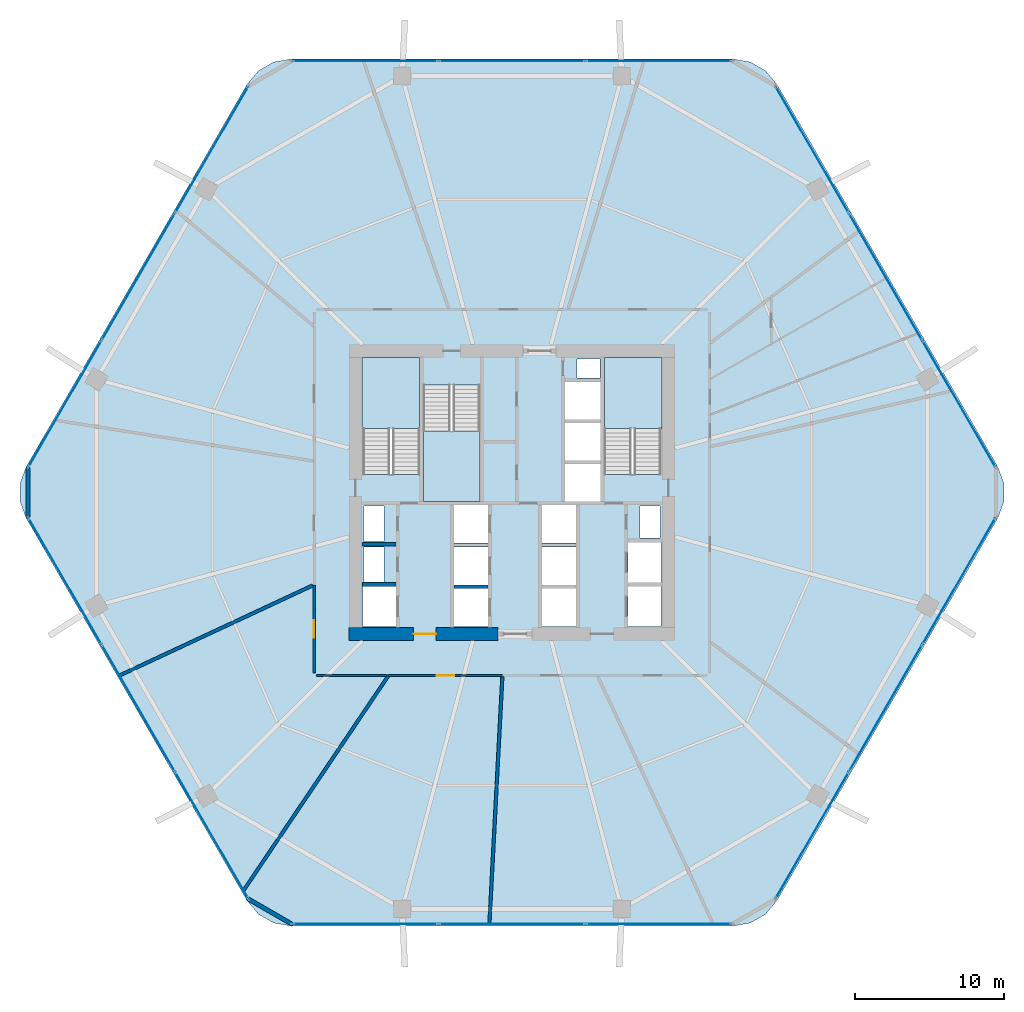
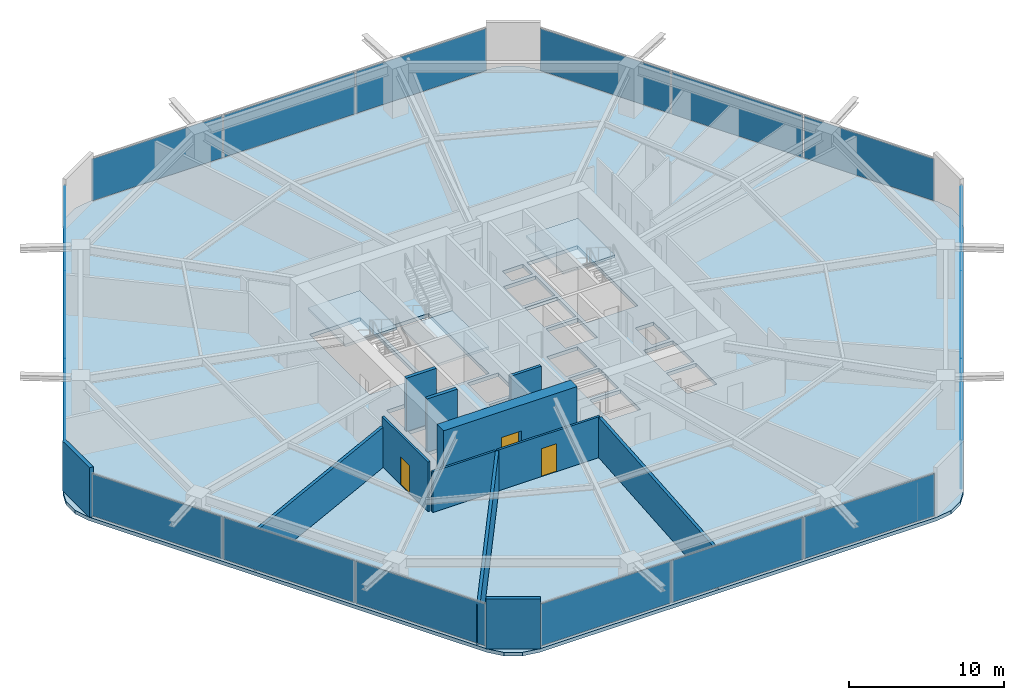
# One storey, part 21 of 25: 18 plates, 12 walls, 4 slabs, 3 doors, 3 openings, 9 elements without a shape of their own.
"""IFC4 building model written with IfcOpenShell, lengths in metres."""

from ifc_helpers import new_model, si_unit, direction, frame, frame_2d, origin, origin_2d, place, context, subcontext, project, spatial, polyline, rectangle, outline, extrude, material, layer, layer_set, type_object, element, fill, aggregate, save


model = new_model("IFC4")

# Units and contexts
model_context = context("Model", 3, precision=1e-05, world=origin(), true_north=direction((0.0, 1.0)))
body_context = subcontext(model_context, "Body", "Model", "MODEL_VIEW")
ifc_project = project(units=[si_unit("LENGTHUNIT", "METRE"), si_unit("AREAUNIT", "SQUARE_METRE"), si_unit("VOLUMEUNIT", "CUBIC_METRE"), si_unit("PLANEANGLEUNIT", "RADIAN"), si_unit("MASSUNIT", "GRAM", prefix="KILO")], contexts=[model_context])

# Site, building, storey
site_placement = place(None, origin())
site = spatial("IfcSite", under=ifc_project, at=site_placement, CompositionType="ELEMENT")
building_placement = place(site_placement, origin())
building = spatial("IfcBuilding", under=site, at=building_placement, Name="Zuhravey Tower", CompositionType="ELEMENT")
storey_placement = place(building_placement, frame((0.0, 0.0, 45.60009765625)))
storey = spatial("IfcBuildingStorey", under=building, at=storey_placement, Name="L11", CompositionType="ELEMENT", Elevation=45.60009765625)

# Curtain wall, plates
ifc_material_1 = material(Name="Thermally broken anodised aluminium", Category="aluminium")
curtain_wall_type = type_object("IfcCurtainWallType", Name="School Low-E Unitised Curtain Wall CW1", PredefinedType="NOTDEFINED", material=ifc_material_1)
curtain_wall_1_placement = place(storey_placement, origin())
curtain_wall_1 = element("IfcCurtainWall", 1, at=curtain_wall_1_placement, inside=storey, type_object=curtain_wall_type, Name="L11 CW1 CW-L11-F6-1", PredefinedType="NOTDEFINED")
ifc_material_2 = material(Name="Laminated acoustic low-E vision glass", Category="glass")
ifc_layer_1 = layer(ifc_material_2, 0.048095703125)
ifc_layer_set_1 = layer_set([ifc_layer_1], Name="Laminated acoustic low-E vision glass")
plate_type = type_object("IfcPlateType", Name="Acoustic School Vision Panel", PredefinedType="CURTAIN_PANEL", material=ifc_layer_set_1)
plate_1_placement = place(storey_placement, frame((66.000732421875, 26.045654296875, 0.08984375), z_axis=(0.0, 0.0, 1.0), x_axis=(-0.499999794119, -0.86602552265, 0.0)))
plate_1 = element("IfcPlate", 2, at=plate_1_placement, type_object=plate_type, Name="CW1 panel 1.1", PredefinedType="CURTAIN_PANEL", context=body_context, shape_type="SweptSolid", body=[
    extrude(rectangle(XDim=9.7314453125, YDim=0.048095703125, at=origin_2d()), origin(), (0.0, 0.0, 1.0), 3.31201171875),
])
plate_2_placement = place(storey_placement, frame((61.078857421875, 17.520751953125, 0.08984375), z_axis=(0.0, 0.0, 1.0), x_axis=(-0.499999794119, -0.86602552265, 0.0)))
plate_2 = element("IfcPlate", 3, at=plate_2_placement, type_object=plate_type, Name="CW1 panel 2.1", PredefinedType="CURTAIN_PANEL", context=body_context, shape_type="SweptSolid", body=[
    extrude(rectangle(XDim=9.7763671875, YDim=0.048095703125, at=origin_2d()), origin(), (0.0, 0.0, 1.0), 3.31201171875),
])
plate_3_placement = place(storey_placement, frame((56.15673828125, 8.995849609375, 0.08984375), z_axis=(0.0, 0.0, 1.0), x_axis=(-0.499999794119, -0.86602552265, 0.0)))
plate_3 = element("IfcPlate", 4, at=plate_3_placement, type_object=plate_type, Name="CW1 panel 3.1", PredefinedType="CURTAIN_PANEL", context=body_context, shape_type="SweptSolid", body=[
    extrude(rectangle(XDim=9.7314453125, YDim=0.048095703125, at=origin_2d()), origin(), (0.0, 0.0, 1.0), 3.31201171875),
])
aggregate(curtain_wall_1, [plate_1, plate_2, plate_3])

curtain_wall_2_placement = place(storey_placement, origin())
curtain_wall_2 = element("IfcCurtainWall", 5, at=curtain_wall_2_placement, inside=storey, type_object=curtain_wall_type, Name="L11 CW1 CW-L11-F5-1", PredefinedType="NOTDEFINED")
plate_4_placement = place(storey_placement, frame((45.84375, 3.04150390625, 0.08984375), z_axis=(0.0, 0.0, 1.0), x_axis=(-1.0, 0.0, 0.0)))
plate_4 = element("IfcPlate", 6, at=plate_4_placement, type_object=plate_type, Name="CW1 panel 1.1", PredefinedType="CURTAIN_PANEL", context=body_context, shape_type="SweptSolid", body=[
    extrude(rectangle(XDim=9.7314453125, YDim=0.048095703125, at=origin_2d()), origin(), (0.0, 0.0, 1.0), 3.31201171875),
])
plate_5_placement = place(storey_placement, frame((36.0, 3.04150390625, 0.08984375), z_axis=(0.0, 0.0, 1.0), x_axis=(-1.0, 0.0, 0.0)))
plate_5 = element("IfcPlate", 7, at=plate_5_placement, type_object=plate_type, Name="CW1 panel 2.1", PredefinedType="CURTAIN_PANEL", context=body_context, shape_type="SweptSolid", body=[
    extrude(rectangle(XDim=9.7763671875, YDim=0.048095703125, at=origin_2d()), origin(), (0.0, 0.0, 1.0), 3.31201171875),
])
plate_6_placement = place(storey_placement, frame((26.15625, 3.04150390625, 0.08984375), z_axis=(0.0, 0.0, 1.0), x_axis=(-1.0, 0.0, 0.0)))
plate_6 = element("IfcPlate", 8, at=plate_6_placement, type_object=plate_type, Name="CW1 panel 3.1", PredefinedType="CURTAIN_PANEL", context=body_context, shape_type="SweptSolid", body=[
    extrude(rectangle(XDim=9.7314453125, YDim=0.048095703125, at=origin_2d()), origin(), (0.0, 0.0, 1.0), 3.31201171875),
])
aggregate(curtain_wall_2, [plate_4, plate_5, plate_6])

curtain_wall_3_placement = place(storey_placement, origin())
curtain_wall_3 = element("IfcCurtainWall", 9, at=curtain_wall_3_placement, inside=storey, type_object=curtain_wall_type, Name="L11 CW1 CW-L11-F4-1", PredefinedType="NOTDEFINED")
plate_7_placement = place(storey_placement, frame((15.84326171875, 8.995849609375, 0.08984375), z_axis=(0.0, 0.0, 1.0), x_axis=(-0.499999794119, 0.86602552265, 0.0)))
plate_7 = element("IfcPlate", 10, at=plate_7_placement, type_object=plate_type, Name="CW1 panel 1.1", PredefinedType="CURTAIN_PANEL", context=body_context, shape_type="SweptSolid", body=[
    extrude(rectangle(XDim=9.7314453125, YDim=0.048095703125, at=origin_2d()), origin(), (0.0, 0.0, 1.0), 3.31201171875),
])
plate_8_placement = place(storey_placement, frame((10.921142578125, 17.520751953125, 0.08984375), z_axis=(0.0, 0.0, 1.0), x_axis=(-0.499999794119, 0.86602552265, 0.0)))
plate_8 = element("IfcPlate", 11, at=plate_8_placement, type_object=plate_type, Name="CW1 panel 2.1", PredefinedType="CURTAIN_PANEL", context=body_context, shape_type="SweptSolid", body=[
    extrude(rectangle(XDim=9.7763671875, YDim=0.048095703125, at=origin_2d()), origin(), (0.0, 0.0, 1.0), 3.31201171875),
])
plate_9_placement = place(storey_placement, frame((5.999267578125, 26.045654296875, 0.08984375), z_axis=(0.0, 0.0, 1.0), x_axis=(-0.499999794119, 0.86602552265, 0.0)))
plate_9 = element("IfcPlate", 12, at=plate_9_placement, type_object=plate_type, Name="CW1 panel 3.1", PredefinedType="CURTAIN_PANEL", context=body_context, shape_type="SweptSolid", body=[
    extrude(rectangle(XDim=9.7314453125, YDim=0.048095703125, at=origin_2d()), origin(), (0.0, 0.0, 1.0), 3.31201171875),
])
aggregate(curtain_wall_3, [plate_7, plate_8, plate_9])

curtain_wall_4_placement = place(storey_placement, origin())
curtain_wall_4 = element("IfcCurtainWall", 13, at=curtain_wall_4_placement, inside=storey, type_object=curtain_wall_type, Name="L11 CW1 CW-L11-F3-1", PredefinedType="NOTDEFINED")
plate_10_placement = place(storey_placement, frame((5.999267578125, 37.954345703125, 0.08984375), z_axis=(0.0, 0.0, 1.0), x_axis=(0.499999794119, 0.86602552265, 0.0)))
plate_10 = element("IfcPlate", 14, at=plate_10_placement, type_object=plate_type, Name="CW1 panel 1.1", PredefinedType="CURTAIN_PANEL", context=body_context, shape_type="SweptSolid", body=[
    extrude(rectangle(XDim=9.7314453125, YDim=0.048095703125, at=origin_2d()), origin(), (0.0, 0.0, 1.0), 3.31201171875),
])
plate_11_placement = place(storey_placement, frame((10.921142578125, 46.479248046875, 0.08984375), z_axis=(0.0, 0.0, 1.0), x_axis=(0.499999794119, 0.86602552265, 0.0)))
plate_11 = element("IfcPlate", 15, at=plate_11_placement, type_object=plate_type, Name="CW1 panel 2.1", PredefinedType="CURTAIN_PANEL", context=body_context, shape_type="SweptSolid", body=[
    extrude(rectangle(XDim=9.7763671875, YDim=0.048095703125, at=origin_2d()), origin(), (0.0, 0.0, 1.0), 3.31201171875),
])
plate_12_placement = place(storey_placement, frame((15.84326171875, 55.004150390625, 0.08984375), z_axis=(0.0, 0.0, 1.0), x_axis=(0.499999794119, 0.86602552265, 0.0)))
plate_12 = element("IfcPlate", 16, at=plate_12_placement, type_object=plate_type, Name="CW1 panel 3.1", PredefinedType="CURTAIN_PANEL", context=body_context, shape_type="SweptSolid", body=[
    extrude(rectangle(XDim=9.7314453125, YDim=0.048095703125, at=origin_2d()), origin(), (0.0, 0.0, 1.0), 3.31201171875),
])
aggregate(curtain_wall_4, [plate_10, plate_11, plate_12])

curtain_wall_5_placement = place(storey_placement, origin())
curtain_wall_5 = element("IfcCurtainWall", 17, at=curtain_wall_5_placement, inside=storey, type_object=curtain_wall_type, Name="L11 CW1 CW-L11-F2-1", PredefinedType="NOTDEFINED")
plate_13_placement = place(storey_placement, frame((26.15625, 60.95849609375, 0.08984375), z_axis=(0.0, 0.0, 1.0), x_axis=(1.0, 0.0, 0.0)))
plate_13 = element("IfcPlate", 18, at=plate_13_placement, type_object=plate_type, Name="CW1 panel 1.1", PredefinedType="CURTAIN_PANEL", context=body_context, shape_type="SweptSolid", body=[
    extrude(rectangle(XDim=9.7314453125, YDim=0.048095703125, at=origin_2d()), origin(), (0.0, 0.0, 1.0), 3.31201171875),
])
plate_14_placement = place(storey_placement, frame((36.0, 60.95849609375, 0.08984375), z_axis=(0.0, 0.0, 1.0), x_axis=(1.0, 0.0, 0.0)))
plate_14 = element("IfcPlate", 19, at=plate_14_placement, type_object=plate_type, Name="CW1 panel 2.1", PredefinedType="CURTAIN_PANEL", context=body_context, shape_type="SweptSolid", body=[
    extrude(rectangle(XDim=9.7763671875, YDim=0.048095703125, at=origin_2d()), origin(), (0.0, 0.0, 1.0), 3.31201171875),
])
plate_15_placement = place(storey_placement, frame((45.84375, 60.95849609375, 0.08984375), z_axis=(0.0, 0.0, 1.0), x_axis=(1.0, 0.0, 0.0)))
plate_15 = element("IfcPlate", 20, at=plate_15_placement, type_object=plate_type, Name="CW1 panel 3.1", PredefinedType="CURTAIN_PANEL", context=body_context, shape_type="SweptSolid", body=[
    extrude(rectangle(XDim=9.7314453125, YDim=0.048095703125, at=origin_2d()), origin(), (0.0, 0.0, 1.0), 3.31201171875),
])
aggregate(curtain_wall_5, [plate_13, plate_14, plate_15])

curtain_wall_6_placement = place(storey_placement, origin())
curtain_wall_6 = element("IfcCurtainWall", 21, at=curtain_wall_6_placement, inside=storey, type_object=curtain_wall_type, Name="L11 CW1 CW-L11-F1-1", PredefinedType="NOTDEFINED")
plate_16_placement = place(storey_placement, frame((56.15673828125, 55.004150390625, 0.08984375), z_axis=(0.0, 0.0, 1.0), x_axis=(0.499999794119, -0.86602552265, 0.0)))
plate_16 = element("IfcPlate", 22, at=plate_16_placement, type_object=plate_type, Name="CW1 panel 1.1", PredefinedType="CURTAIN_PANEL", context=body_context, shape_type="SweptSolid", body=[
    extrude(rectangle(XDim=9.7314453125, YDim=0.048095703125, at=origin_2d()), origin(), (0.0, 0.0, 1.0), 3.31201171875),
])
plate_17_placement = place(storey_placement, frame((61.078857421875, 46.479248046875, 0.08984375), z_axis=(0.0, 0.0, 1.0), x_axis=(0.499999794119, -0.86602552265, 0.0)))
plate_17 = element("IfcPlate", 23, at=plate_17_placement, type_object=plate_type, Name="CW1 panel 2.1", PredefinedType="CURTAIN_PANEL", context=body_context, shape_type="SweptSolid", body=[
    extrude(rectangle(XDim=9.7763671875, YDim=0.048095703125, at=origin_2d()), origin(), (0.0, 0.0, 1.0), 3.31201171875),
])
plate_18_placement = place(storey_placement, frame((66.000732421875, 37.954345703125, 0.08984375), z_axis=(0.0, 0.0, 1.0), x_axis=(0.499999794119, -0.86602552265, 0.0)))
plate_18 = element("IfcPlate", 24, at=plate_18_placement, type_object=plate_type, Name="CW1 panel 3.1", PredefinedType="CURTAIN_PANEL", context=body_context, shape_type="SweptSolid", body=[
    extrude(rectangle(XDim=9.7314453125, YDim=0.048095703125, at=origin_2d()), origin(), (0.0, 0.0, 1.0), 3.31201171875),
])
aggregate(curtain_wall_6, [plate_16, plate_17, plate_18])

# Slab
ifc_material_3 = material(Name="Concrete C50/60", Category="concrete")
ifc_layer_2 = layer(ifc_material_3, 0.280029296875)
ifc_layer_set_2 = layer_set([ifc_layer_2], Name="Concrete C50/60")
slab_type_1 = type_object("IfcSlabType", Name="School Composite Floor Slab 280", PredefinedType="FLOOR", material=ifc_layer_set_2)
slab_1_placement = place(storey_placement, frame((0.0, 0.0, -0.280029296875)))
element("IfcSlab", 25, at=slab_1_placement, inside=storey, type_object=slab_type_1, Name="L11 Floor Slab FS28", PredefinedType="FLOOR", context=body_context, shape_type="SweptSolid", body=[
    extrude(outline(polyline([(68.618408203125, 30.300048828125), (69.0224609375, 31.40966796875), (69.0224609375, 32.59033203125), (68.618408203125, 33.699951171875), (53.781494140625, 59.3984375), (53.0224609375, 60.302978515625), (52.0, 60.893310546875), (50.8369140625, 61.098388671875), (21.1630859375, 61.098388671875), (20.0, 60.893310546875), (18.9775390625, 60.302978515625), (18.218505859375, 59.3984375), (3.381591796875, 33.699951171875), (2.9775390625, 32.59033203125), (2.9775390625, 31.40966796875), (3.381591796875, 30.300048828125), (18.218505859375, 4.6015625), (18.9775390625, 3.697021484375), (20.0, 3.106689453125), (21.1630859375, 2.901611328125), (50.8369140625, 2.901611328125), (52.0, 3.106689453125), (53.0224609375, 3.697021484375), (53.781494140625, 4.6015625), (68.618408203125, 30.300048828125)]), holes=[polyline([(29.800048828125, 33.20068359375), (29.800048828125, 41.0), (26.0, 41.0), (26.0, 33.20068359375), (29.800048828125, 33.20068359375)]), polyline([(46.0, 33.20068359375), (46.0, 41.0), (42.199951171875, 41.0), (42.199951171875, 33.20068359375), (46.0, 33.20068359375)]), polyline([(30.050048828125, 39.199462890625), (30.050048828125, 31.39990234375), (33.85009765625, 31.39990234375), (33.85009765625, 39.199462890625), (30.050048828125, 39.199462890625)]), polyline([(32.10009765625, 23.0), (34.39990234375, 23.0), (34.39990234375, 25.550048828125), (32.10009765625, 25.550048828125), (32.10009765625, 23.0)]), polyline([(32.10009765625, 25.800048828125), (34.39990234375, 25.800048828125), (34.39990234375, 28.35009765625), (32.10009765625, 28.35009765625), (32.10009765625, 25.800048828125)]), polyline([(32.10009765625, 28.60009765625), (34.39990234375, 28.60009765625), (34.39990234375, 31.14990234375), (32.10009765625, 31.14990234375), (32.10009765625, 28.60009765625)]), polyline([(38.0, 23.0), (40.300048828125, 23.0), (40.300048828125, 25.550048828125), (38.0, 25.550048828125), (38.0, 23.0)]), polyline([(38.0, 25.800048828125), (40.300048828125, 25.800048828125), (40.300048828125, 28.35009765625), (38.0, 28.35009765625), (38.0, 25.800048828125)]), polyline([(38.0, 28.60009765625), (40.300048828125, 28.60009765625), (40.300048828125, 31.14990234375), (38.0, 31.14990234375), (38.0, 28.60009765625)]), polyline([(39.550048828125, 31.39990234375), (41.949951171875, 31.39990234375), (41.949951171875, 33.89990234375), (39.550048828125, 33.89990234375), (39.550048828125, 31.39990234375)]), polyline([(39.550048828125, 34.14990234375), (41.949951171875, 34.14990234375), (41.949951171875, 36.64990234375), (39.550048828125, 36.64990234375), (39.550048828125, 34.14990234375)]), polyline([(39.550048828125, 36.89990234375), (41.949951171875, 36.89990234375), (41.949951171875, 39.39990234375), (39.550048828125, 39.39990234375), (39.550048828125, 36.89990234375)]), polyline([(26.0, 23.0), (28.199951171875, 23.0), (28.199951171875, 25.699951171875), (26.0, 25.699951171875), (26.0, 23.0)]), polyline([(43.800048828125, 23.0), (46.0, 23.0), (46.0, 25.699951171875), (43.800048828125, 25.699951171875), (43.800048828125, 23.0)]), polyline([(43.800048828125, 25.949951171875), (46.0, 25.949951171875), (46.0, 28.64990234375), (43.800048828125, 28.64990234375), (43.800048828125, 25.949951171875)]), polyline([(26.050048828125, 26.0), (27.39990234375, 26.0), (27.39990234375, 28.35009765625), (26.050048828125, 28.35009765625), (26.050048828125, 26.0)]), polyline([(26.050048828125, 28.699951171875), (27.39990234375, 28.699951171875), (27.39990234375, 31.10009765625), (26.050048828125, 31.10009765625), (26.050048828125, 28.699951171875)]), polyline([(44.60009765625, 28.949951171875), (45.949951171875, 28.949951171875), (45.949951171875, 31.10009765625), (44.60009765625, 31.10009765625), (44.60009765625, 28.949951171875)]), polyline([(40.35009765625, 39.699951171875), (41.89990234375, 39.699951171875), (41.89990234375, 40.949951171875), (40.35009765625, 40.949951171875), (40.35009765625, 39.699951171875)])]), origin(), (0.0, 0.0, 1.0), 0.280029296875),
])

# Stair, slab
ifc_material_4 = material(Name="Concrete C40/50", Category="concrete")
stair_type = type_object("IfcStairType", Name="School Storey Stair Assembly 4200", PredefinedType="HALF_TURN_STAIR", material=ifc_material_4)
stair_1_placement = place(storey_placement, origin())
stair_1 = element("IfcStair", 26, at=stair_1_placement, inside=storey, type_object=stair_type, Name="L11 Core Exit Stair ST1", PredefinedType="HALF_TURN_STAIR")
ifc_layer_3 = layer(ifc_material_4, 0.199951171875)
ifc_layer_set_3 = layer_set([ifc_layer_3], Name="Concrete C40/50")
slab_type_2 = type_object("IfcSlabType", Name="Stair Landing Slab 200", PredefinedType="LANDING", material=ifc_layer_set_3)
slab_2_placement = place(storey_placement, frame((0.0, 0.0, 1.89990234375)))
slab_2 = element("IfcSlab", 27, at=slab_2_placement, type_object=slab_type_2, Name="ST1 landing 1", PredefinedType="LANDING", context=body_context, shape_type="SweptSolid", body=[
    extrude(outline(polyline([(29.800048828125, 36.280029296875), (29.800048828125, 41.072998046875), (25.927001953125, 41.072998046875), (25.927001953125, 36.280029296875), (29.800048828125, 36.280029296875)])), origin(), (0.0, 0.0, 1.0), 0.199951171875),
])
aggregate(stair_1, [slab_2])

stair_2_placement = place(storey_placement, origin())
stair_2 = element("IfcStair", 28, at=stair_2_placement, inside=storey, type_object=stair_type, Name="L11 Core Exit Stair ST2", PredefinedType="HALF_TURN_STAIR")
slab_3_placement = place(storey_placement, frame((0.0, 0.0, 1.89990234375)))
slab_3 = element("IfcSlab", 29, at=slab_3_placement, type_object=slab_type_2, Name="ST2 landing 1", PredefinedType="LANDING", context=body_context, shape_type="SweptSolid", body=[
    extrude(outline(polyline([(46.072998046875, 36.280029296875), (46.072998046875, 41.072998046875), (42.199951171875, 41.072998046875), (42.199951171875, 36.280029296875), (46.072998046875, 36.280029296875)])), origin(), (0.0, 0.0, 1.0), 0.199951171875),
])
aggregate(stair_2, [slab_3])

stair_3_placement = place(storey_placement, origin())
stair_3 = element("IfcStair", 30, at=stair_3_placement, inside=storey, type_object=stair_type, Name="L11 Core Exit Stair ST3", PredefinedType="HALF_TURN_STAIR")
slab_4_placement = place(storey_placement, frame((0.0, 0.0, 1.89990234375)))
slab_4 = element("IfcSlab", 31, at=slab_4_placement, type_object=slab_type_2, Name="ST3 landing 1", PredefinedType="LANDING", context=body_context, shape_type="SweptSolid", body=[
    extrude(outline(polyline([(30.050048828125, 36.1201171875), (30.050048828125, 31.39990234375), (33.85009765625, 31.39990234375), (33.85009765625, 36.1201171875), (30.050048828125, 36.1201171875)])), origin(), (0.0, 0.0, 1.0), 0.199951171875),
])
aggregate(stair_3, [slab_4])

# Wall, opening, door
ifc_material_5 = material(Name="Concrete C60/75", Category="concrete")
ifc_layer_4 = layer(ifc_material_5, 0.85009765625)
ifc_layer_set_4 = layer_set([ifc_layer_4], Name="Concrete C60/75")
wall_type_1 = type_object("IfcWallType", Name="Core Shear Wall 850", PredefinedType="SHEAR", material=ifc_layer_set_4)
wall_1_placement = place(storey_placement, frame((25.074951171875, 22.5, 0.0), z_axis=(0.0, 0.0, 1.0), x_axis=(1.0, 0.0, 0.0)))
wall_1 = element("IfcWall", 32, at=wall_1_placement, inside=storey, type_object=wall_type_1, Name="L11 South-West Core Shear Wall CW85", PredefinedType="SHEAR", context=body_context, shape_type="SweptSolid", body=[
    extrude(rectangle(XDim=9.97509765625, YDim=0.85009765625, at=frame_2d((4.987548828125, 0.0))), origin(), (0.0, 0.0, 1.0), 4.199951171875),
])
opening_1_placement = place(wall_1_placement, frame((4.324951171875, 0.0, 0.0)))
opening_1 = element("IfcOpeningElement", 33, at=opening_1_placement, cuts=wall_1, Name="Opening FFD1", PredefinedType="OPENING", context=body_context, shape_type="SweptSolid", body=[
    extrude(rectangle(XDim=1.5, YDim=2.14990234375, at=frame_2d((0.75, 1.074951171875))), frame((0.0, 0.43701171875, 0.0), z_axis=(0.0, -1.0, 0.0), x_axis=(1.0, 0.0, 0.0)), (0.0, 0.0, 1.0), 0.8740234375),
])
ifc_material_6 = material(Name="Galvanised fire-rated steel leaf", Category="steel")
door_type_1 = type_object("IfcDoorType", Name="Firefighting Lobby Double Door 1500x2150", OperationType="DOUBLE_DOOR_SINGLE_SWING", PredefinedType="DOOR", material=ifc_material_6)
door_1_placement = place(opening_1_placement, origin())
door_1 = element("IfcDoor", 34, at=door_1_placement, inside=storey, type_object=door_type_1, Name="L11 Firefighting Lobby West Door", OperationType="DOUBLE_DOOR_SINGLE_SWING", OverallHeight=2.14990234375, OverallWidth=1.5, PredefinedType="DOOR", context=body_context, shape_type="SweptSolid", body=[
    extrude(rectangle(XDim=1.5, YDim=2.14990234375, at=frame_2d((0.75, 1.074951171875))), frame((0.0, 0.02490234375, 0.0), z_axis=(0.0, -1.0, 0.0), x_axis=(1.0, 0.0, 0.0)), (0.0, 0.0, 1.0), 0.050048828125),
])
fill(opening_1, door_1)

ifc_material_7 = material(Name="Gypsum fire-rated stud partition")
ifc_layer_5 = layer(ifc_material_7, 0.159912109375)
ifc_layer_set_5 = layer_set([ifc_layer_5], Name="Gypsum fire-rated stud partition")
wall_type_2 = type_object("IfcWallType", Name="Corridor Fire Partition 160", PredefinedType="PARTITIONING", material=ifc_layer_set_5)
wall_2_placement = place(storey_placement, frame((22.715087890625, 25.80517578125, 0.0), z_axis=(0.0, 0.0, 1.0), x_axis=(0.0, -1.0, 0.0)))
wall_2 = element("IfcWall", 35, at=wall_2_placement, inside=storey, type_object=wall_type_2, Name="L11 IW16 Partition 028", PredefinedType="PARTITIONING", context=body_context, shape_type="SweptSolid", body=[
    extrude(rectangle(XDim=5.93017578125, YDim=0.159912109375, at=frame_2d((2.965087890625, 0.0))), origin(), (0.0, 0.0, 1.0), 3.919921875),
])
opening_2_placement = place(wall_2_placement, frame((2.389892578125, 0.0, 0.0)))
opening_2 = element("IfcOpeningElement", 36, at=opening_2_placement, cuts=wall_2, Name="Opening CLD1", PredefinedType="OPENING", context=body_context, shape_type="SweptSolid", body=[
    extrude(rectangle(XDim=1.14990234375, YDim=2.199951171875, at=frame_2d((0.574951171875, 1.10009765625))), frame((0.0, 0.092041015625, 0.0), z_axis=(0.0, -1.0, 0.0), x_axis=(1.0, 0.0, 0.0)), (0.0, 0.0, 1.0), 0.183837890625),
])
ifc_material_8 = material(Name="Acoustic timber leaf with vision lite", Category="wood")
door_type_2 = type_object("IfcDoorType", Name="Classroom Acoustic Door 1150x2200", OperationType="NOTDEFINED", PredefinedType="DOOR", material=ifc_material_8)
door_2_placement = place(opening_2_placement, frame((1.14990234375, 0.0, 0.0), z_axis=(0.0, 0.0, 1.0), x_axis=(-1.0, 0.0, 0.0)))
door_2 = element("IfcDoor", 37, at=door_2_placement, inside=storey, type_object=door_type_2, Name="L11 Door 028.1", OperationType="SINGLE_SWING_RIGHT", OverallHeight=2.199951171875, OverallWidth=1.14990234375, PredefinedType="DOOR", context=body_context, shape_type="SweptSolid", body=[
    extrude(rectangle(XDim=1.14990234375, YDim=2.199951171875, at=frame_2d((0.574951171875, 1.10009765625))), frame((0.0, 0.02490234375, 0.0), z_axis=(0.0, -1.0, 0.0), x_axis=(1.0, 0.0, 0.0)), (0.0, 0.0, 1.0), 0.050048828125),
])
fill(opening_2, door_2)

wall_3_placement = place(storey_placement, frame((27.713623046875, 19.715087890625, 0.0), z_axis=(0.0, 0.0, 1.0), x_axis=(1.0, 0.0, 0.0)))
wall_3 = element("IfcWall", 38, at=wall_3_placement, inside=storey, type_object=wall_type_2, Name="L11 IW16 Partition 029", PredefinedType="PARTITIONING", context=body_context, shape_type="SweptSolid", body=[
    extrude(rectangle(XDim=7.642578125, YDim=0.159912109375, at=frame_2d((3.8212890625, 0.0))), origin(), (0.0, 0.0, 1.0), 3.219970703125),
])
opening_3_placement = place(wall_3_placement, frame((3.246337890625, 0.0, 0.0)))
opening_3 = element("IfcOpeningElement", 39, at=opening_3_placement, cuts=wall_3, Name="Opening CLD1", PredefinedType="OPENING", context=body_context, shape_type="SweptSolid", body=[
    extrude(rectangle(XDim=1.14990234375, YDim=2.199951171875, at=frame_2d((0.574951171875, 1.10009765625))), frame((0.0, 0.092041015625, 0.0), z_axis=(0.0, -1.0, 0.0), x_axis=(1.0, 0.0, 0.0)), (0.0, 0.0, 1.0), 0.183837890625),
])
door_3_placement = place(opening_3_placement, frame((1.14990234375, 0.0, 0.0), z_axis=(0.0, 0.0, 1.0), x_axis=(-1.0, 0.0, 0.0)))
door_3 = element("IfcDoor", 40, at=door_3_placement, inside=storey, type_object=door_type_2, Name="L11 Door 029.1", OperationType="SINGLE_SWING_LEFT", OverallHeight=2.199951171875, OverallWidth=1.14990234375, PredefinedType="DOOR", context=body_context, shape_type="SweptSolid", body=[
    extrude(rectangle(XDim=1.14990234375, YDim=2.199951171875, at=frame_2d((0.574951171875, 1.10009765625))), frame((0.0, 0.02490234375, 0.0), z_axis=(0.0, -1.0, 0.0), x_axis=(1.0, 0.0, 0.0)), (0.0, 0.0, 1.0), 0.050048828125),
])
fill(opening_3, door_3)

# Walls
wall_4_placement = place(storey_placement, frame((22.875, 19.715087890625, 0.0), z_axis=(0.0, 0.0, 1.0), x_axis=(1.0, 0.0, 0.0)))
element("IfcWall", 41, at=wall_4_placement, inside=storey, type_object=wall_type_2, Name="L11 IW16 Partition 055", PredefinedType="PARTITIONING", context=body_context, shape_type="SweptSolid", body=[
    extrude(rectangle(XDim=4.6962890625, YDim=0.159912109375, at=frame_2d((2.34814453125, 0.0))), origin(), (0.0, 0.0, 1.0), 3.219970703125),
])
ifc_material_9 = material(Name="Precast concrete C40/50", Category="concrete")
ifc_layer_6 = layer(ifc_material_9, 0.280029296875)
ifc_layer_set_6 = layer_set([ifc_layer_6], Name="Precast concrete C40/50")
wall_type_3 = type_object("IfcWallType", Name="Crown Architectural Wall 280", PredefinedType="SOLIDWALL", material=ifc_layer_set_6)
wall_5_placement = place(storey_placement, frame((21.28271484375, 2.993896484375, 0.0), z_axis=(0.0, 0.0, 1.0), x_axis=(-0.866007452331, 0.500031091541, 0.0)))
element("IfcWall", 42, at=wall_5_placement, inside=storey, type_object=wall_type_3, Name="L11 Rounded Corner Closure Wall EW28-04", PredefinedType="SOLIDWALL", context=body_context, shape_type="SweptSolid", body=[
    extrude(rectangle(XDim=3.514892578125, YDim=0.280029296875, at=frame_2d((1.75732421875, 0.0))), origin(), (0.0, 0.0, 1.0), 3.919921875),
])
wall_6_placement = place(storey_placement, frame((3.521484375, 30.242431640625, 0.0), z_axis=(0.0, 0.0, 1.0), x_axis=(0.0, 1.0, 0.0)))
element("IfcWall", 43, at=wall_6_placement, inside=storey, type_object=wall_type_3, Name="L11 Rounded Corner Closure Wall EW28-06", PredefinedType="SOLIDWALL", context=body_context, shape_type="SweptSolid", body=[
    extrude(rectangle(XDim=3.51513671875, YDim=0.280029296875, at=frame_2d((1.757568359375, 0.0))), origin(), (0.0, 0.0, 1.0), 3.919921875),
])
ifc_layer_7 = layer(ifc_material_3, 0.25)
ifc_layer_set_7 = layer_set([ifc_layer_7], Name="Concrete C50/60")
wall_type_4 = type_object("IfcWallType", Name="Firefighting Shaft & Stair Wall 250", PredefinedType="SOLIDWALL", material=ifc_layer_set_7)
for number, where, z_axis, x_axis, name in (
    (44, (25.949951171875, 25.824951171875, 0.0), (0.0, 0.0, 1.0), (1.0, 0.0, 0.0), "L11 FW25 Shaft Wall 009"),
    (45, (25.949951171875, 28.52490234375, 0.0), (0.0, 0.0, 1.0), (1.0, 0.0, 0.0), "L11 FW25 Shaft Wall 010"),
):
    element("IfcWall", number, at=place(storey_placement, frame(where, z_axis=z_axis, x_axis=x_axis)), inside=storey, type_object=wall_type_4, Name=name, PredefinedType="SOLIDWALL", context=body_context, shape_type="SweptSolid", body=[
        extrude(rectangle(XDim=2.25, YDim=0.25, at=frame_2d((1.125, 0.0))), origin(), (0.0, 0.0, 1.0), 4.199951171875),
    ])
ifc_material_10 = material(Name="Gypsum acoustic stud assembly")
ifc_layer_8 = layer(ifc_material_10, 0.219970703125)
ifc_layer_set_8 = layer_set([ifc_layer_8], Name="Gypsum acoustic stud assembly")
wall_type_5 = type_object("IfcWallType", Name="School Acoustic Compartment Wall 220", PredefinedType="PARTITIONING", material=ifc_layer_set_8)
wall_7_placement = place(storey_placement, frame((32.10791015625, 25.675048828125, 0.0), z_axis=(0.0, 0.0, 1.0), x_axis=(1.0, 0.0, 0.0)))
element("IfcWall", 46, at=wall_7_placement, inside=storey, type_object=wall_type_5, Name="L11 IW22 Partition 037", PredefinedType="PARTITIONING", context=body_context, shape_type="SweptSolid", body=[
    extrude(rectangle(XDim=2.2841796875, YDim=0.219970703125, at=frame_2d((1.14208984375, 0.0))), origin(), (0.0, 0.0, 1.0), 3.919921875),
])
wall_8_placement = place(storey_placement, frame((22.626953125, 25.763916015625, 0.0), z_axis=(0.0, 0.0, 1.0), x_axis=(-0.906309468756, -0.422614655263, 0.0)))
element("IfcWall", 47, at=wall_8_placement, inside=storey, type_object=wall_type_5, Name="L11 IW22 Partition 053", PredefinedType="PARTITIONING", context=body_context, shape_type="SweptSolid", body=[
    extrude(rectangle(XDim=14.3134765625, YDim=0.219970703125, at=frame_2d((7.15673828125, 0.0))), origin(), (0.0, 0.0, 1.0), 3.169921875),
])
wall_9_placement = place(storey_placement, frame((27.713623046875, 19.715087890625, 0.0), z_axis=(0.0, 0.0, 1.0), x_axis=(-0.559192578, -0.829037792088, 0.0)))
element("IfcWall", 48, at=wall_9_placement, inside=storey, type_object=wall_type_5, Name="L11 IW22 Partition 054", PredefinedType="PARTITIONING", context=body_context, shape_type="SweptSolid", body=[
    extrude(rectangle(XDim=17.40087890625, YDim=0.219970703125, at=frame_2d((8.700439453125, 0.0))), origin(), (0.0, 0.0, 1.0), 3.169921875),
])
wall_10_placement = place(storey_placement, frame((35.3515625, 19.626953125, 0.0), z_axis=(0.0, 0.0, 1.0), x_axis=(-0.052331996973, -0.998629742243, 0.0)))
element("IfcWall", 49, at=wall_10_placement, inside=storey, type_object=wall_type_5, Name="L11 IW22 Partition 056", PredefinedType="PARTITIONING", context=body_context, shape_type="SweptSolid", body=[
    extrude(rectangle(XDim=16.608154296875, YDim=0.219970703125, at=frame_2d((8.30419921875, 0.0))), origin(), (0.0, 0.0, 1.0), 3.169921875),
])

save(model, "model.ifc")
